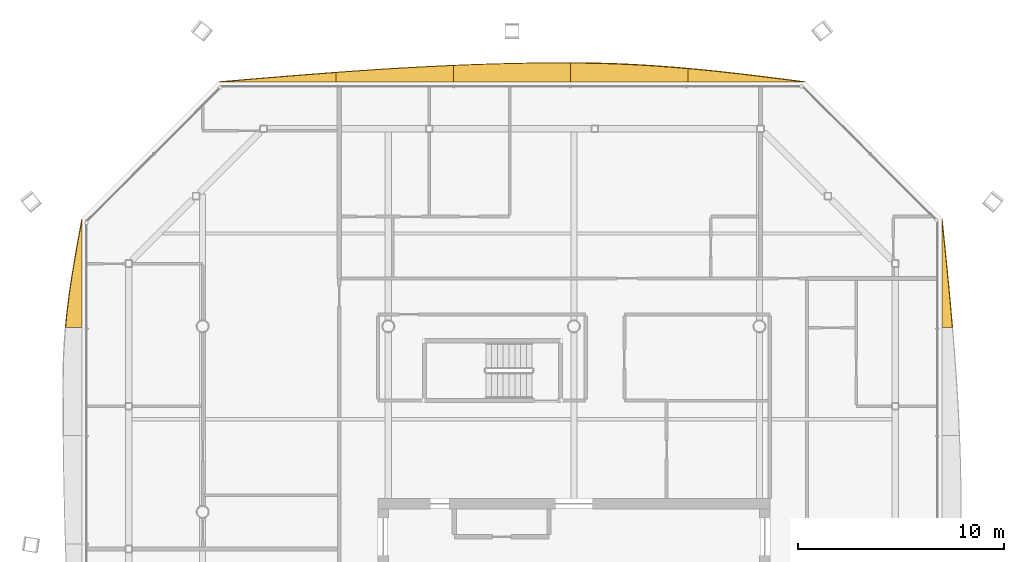
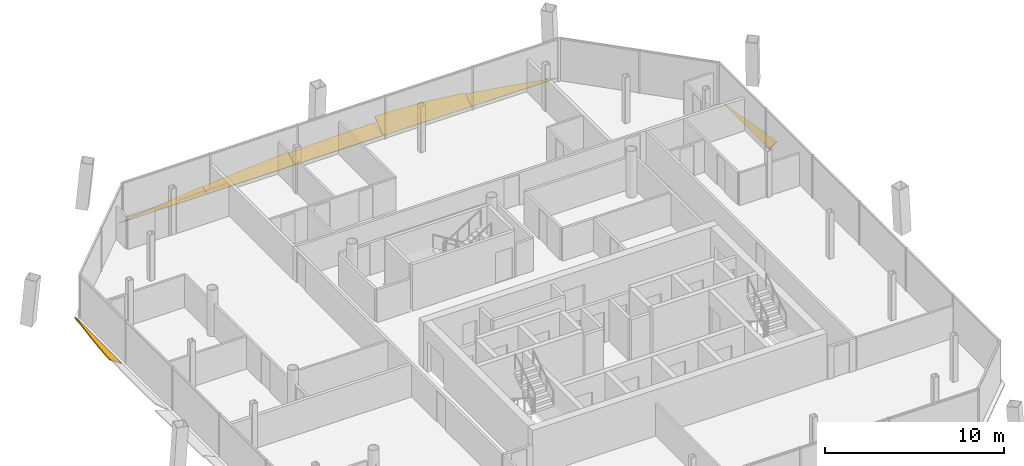
# One storey, part 20 of 20: 7 shading devices.
"""IFC4 building model written with IfcOpenShell, lengths in metres."""

import ifcopenshell
import ifcopenshell.guid

model = None  # the IFC model being written
_history = None  # IfcOwnerHistory: only IFC2X3 demands one
_inside = {}  # id of a spatial element -> (the spatial element, [elements in it])
_under = {}  # id of a project, library or spatial element -> (it, [spatial elements below it])
_declared = {}  # id of a project -> (the project, [libraries it declares])
_typed = {}  # id of a type object -> (the type object, [elements of that type])
_made_of = {}  # id of a material, layer set ... -> (it, [elements and type objects made of it])


def new_model(schema):
    """Start an empty IFC model of exactly this schema.

    Asked for "IFC4X3", IfcOpenShell would pick the latest addendum, in which some entities
    have other attributes; the version numbers below select the first issue.
    IFC2X3 requires an IfcOwnerHistory on every rooted entity: one is made here for all.
    """
    global model, _history
    if schema == "IFC4X3":
        model = ifcopenshell.file(schema_version=(4, 3, 0, 0))
    else:
        model = ifcopenshell.file(schema=schema)
    _inside.clear()
    _under.clear()
    _declared.clear()
    _typed.clear()
    _made_of.clear()
    _history = None
    if model.schema == "IFC2X3":
        org = make("IfcOrganization", Name="unknown")
        user = make(
            "IfcPersonAndOrganization",
            ThePerson=make("IfcPerson", FamilyName="unknown"),
            TheOrganization=org,
        )
        app = make(
            "IfcApplication",
            ApplicationDeveloper=org,
            Version="unknown",
            ApplicationFullName="unknown",
            ApplicationIdentifier="unknown",
        )
        _history = make(
            "IfcOwnerHistory",
            OwningUser=user,
            OwningApplication=app,
            ChangeAction="ADDED",
            CreationDate=0,
        )
    return model


def make(cls, **values):
    """One entity of the class cls with the attributes given. An attribute that is None is left unset."""
    return model.create_entity(
        cls, **{name: value for name, value in values.items() if value is not None}
    )


def rooted(cls, **values):
    """An entity with a GlobalId (a new one), such as an element, a storey or a relation."""
    return make(cls, GlobalId=ifcopenshell.guid.new(), OwnerHistory=_history, **values)


def si_unit(unit_type, name, prefix=None):
    """IfcSIUnit, for example si_unit("LENGTHUNIT", "METRE", prefix="MILLI")."""
    return make("IfcSIUnit", UnitType=unit_type, Prefix=prefix, Name=name)


def assignment(units):
    """IfcUnitAssignment: the units of a project."""
    return None if units is None else make("IfcUnitAssignment", Units=units)


def point(xyz):
    """IfcCartesianPoint."""
    return None if xyz is None else make("IfcCartesianPoint", Coordinates=xyz)


def direction(xyz):
    """IfcDirection."""
    return None if xyz is None else make("IfcDirection", DirectionRatios=xyz)


def frame(location, z_axis=None, x_axis=None):
    """IfcAxis2Placement3D, a coordinate frame: its origin and axes. An axis left out is left unset."""
    return make(
        "IfcAxis2Placement3D",
        Location=point(location),
        Axis=direction(z_axis),
        RefDirection=direction(x_axis),
    )


def origin():
    """The frame at (0, 0, 0) with its axes left unset."""
    return frame((0.0, 0.0, 0.0))


def place(relative_to, where):
    """IfcLocalPlacement: puts the frame where relative to a parent placement (None: the world)."""
    return make(
        "IfcLocalPlacement", PlacementRelTo=relative_to, RelativePlacement=where
    )


def context(
    kind, dimensions, precision=None, world=None, true_north=None, identifier=None
):
    """IfcGeometricRepresentationContext, for example the 3D "Model" context."""
    return make(
        "IfcGeometricRepresentationContext",
        ContextIdentifier=identifier,
        ContextType=kind,
        CoordinateSpaceDimension=dimensions,
        Precision=precision,
        WorldCoordinateSystem=world,
        TrueNorth=true_north,
    )


def subcontext(parent, identifier, kind, view, scale=None):
    """IfcGeometricRepresentationSubContext, for example "Body" below "Model"."""
    return make(
        "IfcGeometricRepresentationSubContext",
        ContextIdentifier=identifier,
        ContextType=kind,
        ParentContext=parent,
        TargetScale=scale,
        TargetView=view,
    )


def project(units=None, contexts=None):
    """IfcProject with its units and contexts."""
    return rooted(
        "IfcProject",
        Name="project",
        RepresentationContexts=contexts,
        UnitsInContext=assignment(units),
    )


def spatial(cls, under=None, at=None, **own):
    """A site, building, storey or space (cls), placed at a placement, below another one or the project."""
    s = rooted(cls, ObjectPlacement=at, **own)
    if under is not None:
        _under.setdefault(under.id(), (under, []))[1].append(s)
    return s


def polyline(points):
    """IfcPolyline through the points."""
    return make("IfcPolyline", Points=[point(p) for p in points])


def outline(outer, holes=None, kind="AREA"):
    """IfcArbitraryClosedProfileDef: a profile drawn as a closed curve; with holes, ...WithVoids."""
    if holes is None:
        return make("IfcArbitraryClosedProfileDef", ProfileType=kind, OuterCurve=outer)
    return make(
        "IfcArbitraryProfileDefWithVoids",
        ProfileType=kind,
        OuterCurve=outer,
        InnerCurves=holes,
    )


def extrude(swept, where, along, depth):
    """IfcExtrudedAreaSolid: the profile swept, set in the frame where, extruded along a direction by depth."""
    return make(
        "IfcExtrudedAreaSolid",
        SweptArea=swept,
        Position=where,
        ExtrudedDirection=direction(along),
        Depth=depth,
    )


def shape(context_of_items, identifier, shape_type, items):
    """IfcShapeRepresentation: the items that make up one representation, for example the "Body"."""
    return make(
        "IfcShapeRepresentation",
        ContextOfItems=context_of_items,
        RepresentationIdentifier=identifier,
        RepresentationType=shape_type,
        Items=items,
    )


def material(Name=None, Category=None):
    """IfcMaterial."""
    return make("IfcMaterial", Name=Name, Category=Category)


def layer(
    of_material, thickness, ventilated=None, Name=None, Category=None, Priority=None
):
    """IfcMaterialLayer: one layer of a wall or slab, of a material (None: an air gap)."""
    return make(
        "IfcMaterialLayer",
        Material=of_material,
        LayerThickness=thickness,
        IsVentilated=ventilated,
        Name=Name,
        Category=Category,
        Priority=Priority,
    )


def layer_set(layers, Name=None):
    """IfcMaterialLayerSet."""
    return make("IfcMaterialLayerSet", MaterialLayers=layers, LayerSetName=Name)


def made_of(thing, what):
    """Note that an element or type object is made of a material, layer set ...; save() writes the relation."""
    if what is not None:
        _made_of.setdefault(what.id(), (what, []))[1].append(thing)
    return thing


def type_object(cls, material=None, **own):
    """A type object (cls), such as IfcWallType, which elements share."""
    return made_of(rooted(cls, **own), material)


def element(
    cls,
    number,
    at=None,
    inside=None,
    cuts=None,
    type_object=None,
    material=None,
    context=None,
    identifier="Body",
    shape_type=None,
    held_by="IfcProductDefinitionShape",
    body=None,
    shapes=None,
    **own,
):
    """One element of the class cls, such as IfcWall. Its Tag is "e" and its number.

    at: its placement. inside: the storey or other place that contains it. cuts: it is an
    opening in that element (IfcRelVoidsElement). A single representation is given by context,
    identifier, shape_type and body (its items); several are given by shapes. held_by: the class
    of the entity that holds the representations. save() writes the other relations.
    """
    e = rooted(cls, Tag="e%d" % number, ObjectPlacement=at, **own)
    if body is not None:
        shapes = [shape(context, identifier, shape_type, body)]
    if shapes is not None:
        e.Representation = make(held_by, Representations=shapes)
    if inside is not None:
        _inside.setdefault(inside.id(), (inside, []))[1].append(e)
    if cuts is not None:
        rooted(
            "IfcRelVoidsElement", RelatingBuildingElement=cuts, RelatedOpeningElement=e
        )
    if type_object is not None:
        _typed.setdefault(type_object.id(), (type_object, []))[1].append(e)
    return made_of(e, material)


def aggregate(whole, parts):
    """IfcRelAggregates: a whole, such as a stair, and the parts it consists of."""
    return rooted("IfcRelAggregates", RelatingObject=whole, RelatedObjects=parts)


def save(model, path):
    """Write the relations noted so far, then the file.

    IfcRelAggregates (storeys below a building ...), IfcRelContainedInSpatialStructure (elements
    in a storey), IfcRelDefinesByType, IfcRelAssociatesMaterial and IfcRelDeclares: one each for
    every whole, place, type object, material and project.
    """
    for whole, parts in _under.values():
        aggregate(whole, parts)
    for where, things in _inside.values():
        rooted(
            "IfcRelContainedInSpatialStructure",
            RelatedElements=things,
            RelatingStructure=where,
        )
    for kind, things in _typed.values():
        rooted("IfcRelDefinesByType", RelatedObjects=things, RelatingType=kind)
    for what, things in _made_of.values():
        rooted("IfcRelAssociatesMaterial", RelatedObjects=things, RelatingMaterial=what)
    for by, libraries in _declared.values():
        rooted("IfcRelDeclares", RelatingContext=by, RelatedDefinitions=libraries)
    model.write(path)


model = new_model("IFC4")

# Units and contexts
model_context = context("Model", 3, precision=1e-05, world=origin(), true_north=direction((0.0, 1.0)))
body_context = subcontext(model_context, "Body", "Model", "MODEL_VIEW")
ifc_project = project(units=[si_unit("LENGTHUNIT", "METRE"), si_unit("AREAUNIT", "SQUARE_METRE"), si_unit("VOLUMEUNIT", "CUBIC_METRE"), si_unit("PLANEANGLEUNIT", "RADIAN"), si_unit("MASSUNIT", "GRAM", prefix="KILO")], contexts=[model_context])

# Site, building, storey
site_placement = place(None, origin())
site = spatial("IfcSite", under=ifc_project, at=site_placement, CompositionType="ELEMENT")
building_placement = place(site_placement, origin())
building = spatial("IfcBuilding", under=site, at=building_placement, Name="Tskaro Facet Tower", CompositionType="ELEMENT")
storey_placement = place(building_placement, frame((0.0, 0.0, 187.949951171875)))
storey = spatial("IfcBuildingStorey", under=building, at=storey_placement, Name="L47", CompositionType="ELEMENT", Elevation=187.949951171875)

# Shading devices
ifc_material = material(Name="Bronze anodised aluminium 6063-T6", Category="aluminium")
ifc_layer = layer(ifc_material, 0.06005859375, Name="Bronze anodised aluminium 6063-T6")
ifc_layer_set = layer_set([ifc_layer], Name="Bronze anodised aluminium 6063-T6")
shading_device_type = type_object("IfcShadingDeviceType", Name="Bronze sun blade (FN1)", PredefinedType="USERDEFINED", material=ifc_layer_set)
shading_device_1_placement = place(storey_placement, frame((17.843505859375, 8.951171875, 0.04931640625), z_axis=(-0.573316815343, 2.4973836e-05, 0.819333771196), x_axis=(1.431792e-05, 0.999999999688, -2.0461907e-05)))
element("IfcShadingDevice", 1, at=shading_device_1_placement, inside=storey, type_object=shading_device_type, Name="Fin blade east 6", ObjectType="FIN", PredefinedType="USERDEFINED", context=body_context, shape_type="SweptSolid", body=[
    extrude(outline(polyline([(0.0, 0.0), (5.2529296858618935, 0.0), (4.596191404955346, -0.08134317172137631), (3.939697266173718, -0.1623463408580425), (3.2829589862715745, -0.24246947216624282), (2.6264648445031735, -0.32117253040222143), (1.969726559618667, -0.39845551556597836), (1.3132324208634796, -0.47349845256242895), (0.6564941384965949, -0.546241278658192), (-3.232146114025629e-09, -0.6160039886838473), (0.0, 0.0)])), origin(), (0.0, 0.0, -1.0), 0.06005859375),
])
shading_device_2_placement = place(storey_placement, frame((11.2041015625, 20.843505859375, 0.04931640625), z_axis=(2.2565889e-05, -0.573335905957, 0.819320412556), x_axis=(-0.999999999745, -1.2937835e-05, 1.8488694e-05)))
element("IfcShadingDevice", 2, at=shading_device_2_placement, inside=storey, type_object=shading_device_type, Name="Fin blade north 1", ObjectType="FIN", PredefinedType="USERDEFINED", context=body_context, shape_type="SweptSolid", body=[
    extrude(outline(polyline([(0.0, 0.0), (5.681640623553399, -9.62507360766703e-21), (5.681640626334832, -0.7986711098776471), (4.9714355472035185, -0.7169879343236124), (4.26123047030318, -0.6279244558587207), (3.5510253888682426, -0.532760770644112), (2.8408203114781188, -0.4326568652185329), (2.1306152331706967, -0.32835280236137754), (1.4204101534977065, -0.22072861943849054), (0.7102050765247179, -0.1108043284021677), (0.0, 0.0)])), origin(), (0.0, 0.0, -1.0), 0.06005859375),
])
shading_device_3_placement = place(storey_placement, frame((5.5224609375, 20.83935546875, 0.0458984375), z_axis=(-1.0762538e-05, -0.642789620206, 0.766042756013), x_axis=(-0.999999999942, 6.918048e-06, -8.244564e-06)))
element("IfcShadingDevice", 3, at=shading_device_3_placement, inside=storey, type_object=shading_device_type, Name="Fin blade north 2", ObjectType="FIN", PredefinedType="USERDEFINED", context=body_context, shape_type="SweptSolid", body=[
    extrude(outline(polyline([(0.0, 0.0), (5.681640624670941, 0.0), (5.681640625590998, -1.2033532626470163), (5.624755859969293, -1.2033532626470163), (4.971435546650337, -1.198320804355982), (4.261230467291515, -1.181847616615399), (3.5510253895273625, -1.1537767683656375), (2.840820313034026, -1.114452212823567), (2.130615235474815, -1.0643748342656882), (1.4204101565258722, -1.003888585908871), (0.7102050775523183, -0.933524443127226), (-4.045834567322672e-10, -0.8541573345117344), (0.0, 0.0)])), origin(), (0.0, 0.0, -1.0), 0.06005859375),
])
shading_device_4_placement = place(storey_placement, frame((-0.1591796875, 20.857421875, 0.056396484375), z_axis=(1.535909e-05, -0.342070480466, 0.939674297913), x_axis=(-0.999999999882, -5.253891e-06, 1.4432542e-05)))
element("IfcShadingDevice", 4, at=shading_device_4_placement, inside=storey, type_object=shading_device_type, Name="Fin blade north 3", ObjectType="FIN", PredefinedType="USERDEFINED", context=body_context, shape_type="SweptSolid", body=[
    extrude(outline(polyline([(0.0, 0.0), (5.681640624329846, -4.812536803833515e-21), (5.681640624918892, -0.8477873450421306), (4.971435544793064, -0.8781361861187977), (4.2612304685305915, -0.9049391966060225), (3.551025391649713, -0.9275705245611634), (2.8408203115850528, -0.946488995325052), (2.130615234425555, -0.9613192968577617), (1.4204101566476517, -0.9719779158583874), (0.7102050782513422, -0.9784648523269293), (-2.0460621410552888e-09, -0.9810095189338031), (0.0, 0.0)])), origin(), (0.0, 0.0, -1.0), 0.06005859375),
])
shading_device_5_placement = place(storey_placement, frame((-5.8408203125, 20.8525390625, 0.054443359375), z_axis=(-6.791487e-06, -0.422589723057, 0.906321094271), x_axis=(-0.999999999977, 2.870013e-06, -6.155268e-06)))
element("IfcShadingDevice", 5, at=shading_device_5_placement, inside=storey, type_object=shading_device_type, Name="Fin blade north 4", ObjectType="FIN", PredefinedType="USERDEFINED", context=body_context, shape_type="SweptSolid", body=[
    extrude(outline(polyline([(0.0, 0.0), (5.68164062486897, 0.0), (5.6816406241459445, -0.5070141787865866), (4.971435547414681, -0.5634884544064016), (4.261230468184804, -0.6174405180847814), (3.551025390162503, -0.6688852969819208), (2.840820311946402, -0.7173802515009977), (2.1306152350392535, -0.7628222103229041), (1.42041015723762, -0.8050930749683368), (0.7102050778408145, -0.8439715756388848), (-8.46347844315819e-10, -0.8790300998979208), (0.0, 0.0)])), origin(), (0.0, 0.0, -1.0), 0.06005859375),
])
shading_device_6_placement = place(storey_placement, frame((-11.5224609375, 20.847900390625, 0.052001953125), z_axis=(-3.3889275e-05, -0.499832738578, 0.866121950015), x_axis=(-0.999999999426, 1.6938969e-05, -2.9352245e-05)))
element("IfcShadingDevice", 6, at=shading_device_6_placement, inside=storey, type_object=shading_device_type, Name="Fin blade north 5", ObjectType="FIN", PredefinedType="USERDEFINED", context=body_context, shape_type="SweptSolid", body=[
    extrude(outline(polyline([(0.0, 0.0), (5.681640621737366, -9.62507360766703e-21), (4.971435547903641, -0.06955770768928085), (4.261230465798935, -0.13869250426991317), (3.5510253897553987, -0.2071603307873732), (2.8408203115020507, -0.2745382761330124), (2.1306152351743823, -0.341037795861155), (1.4204101525014126, -0.4062359788631526), (0.710205076710386, -0.4693438255985709), (-6.530847660108494e-09, -0.5306053950219336), (0.0, 0.0)])), origin(), (0.0, 0.0, -1.0), 0.06005859375),
])
shading_device_7_placement = place(storey_placement, frame((-23.843505859375, 14.2041015625, 0.04931640625), z_axis=(0.573416826531, 7.397004e-06, 0.819263781084), x_axis=(4.241566e-06, -0.999999999973, 6.060097e-06)))
element("IfcShadingDevice", 7, at=shading_device_7_placement, inside=storey, type_object=shading_device_type, Name="Fin blade west 1", ObjectType="FIN", PredefinedType="USERDEFINED", context=body_context, shape_type="SweptSolid", body=[
    extrude(outline(polyline([(0.0, 0.0), (5.252929687356292, 0.0), (5.252929687462848, -0.9792381557064833), (4.5964355480058625, -0.8976949696972956), (3.9396972659942664, -0.8007711988690978), (3.2832031254894942, -0.689626867306242), (2.626464843319291, -0.5667620868648546), (1.9699707029535296, -0.43387690711482485), (1.3132324212199549, -0.293471439912279), (0.6567382799613399, -0.14798577588420259), (0.0, 0.0)])), origin(), (0.0, 0.0, -1.0), 0.06005859375),
])

save(model, "model.ifc")
